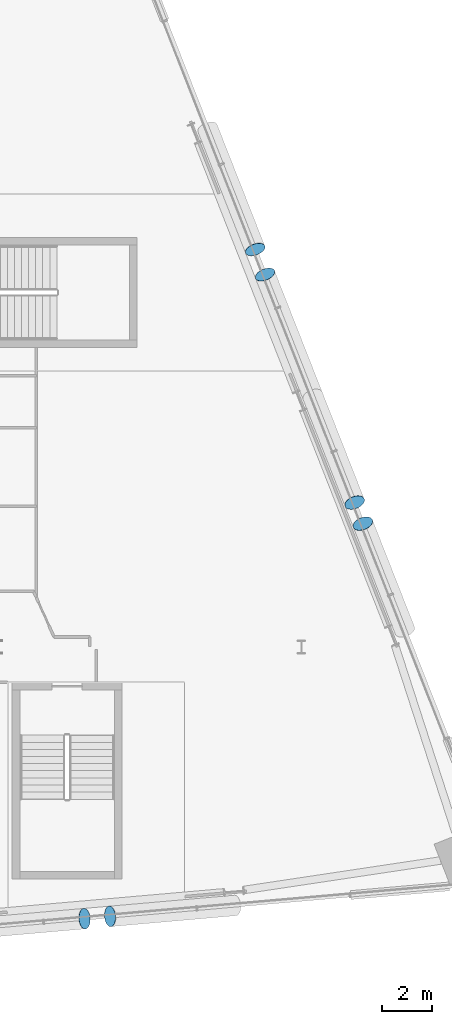
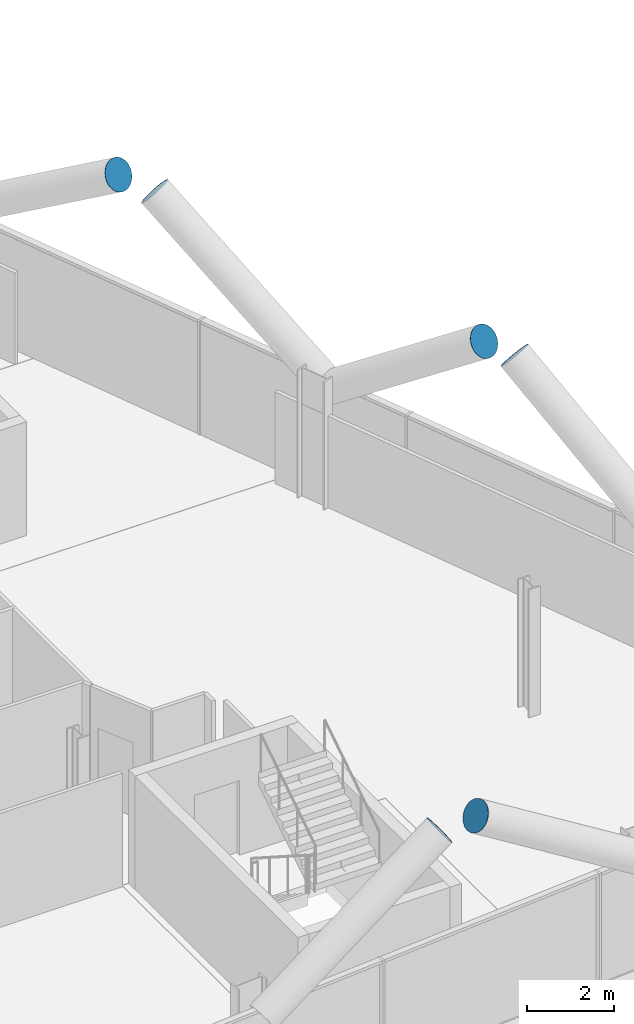
# One storey, part 21 of 25: 6 discrete accessories.
"""IFC4 building model written with IfcOpenShell, lengths in metres."""

from ifc_helpers import new_model, si_unit, direction, frame, origin, origin_2d, place, context, subcontext, project, spatial, circle, extrude, material, material_profile, profile_set, type_object, element, save


model = new_model("IFC4")

# Units and contexts
model_context = context("Model", 3, precision=1e-05, world=origin(), true_north=direction((0.0, 1.0)))
body_context = subcontext(model_context, "Body", "Model", "MODEL_VIEW")
ifc_project = project(units=[si_unit("LENGTHUNIT", "METRE"), si_unit("AREAUNIT", "SQUARE_METRE"), si_unit("VOLUMEUNIT", "CUBIC_METRE"), si_unit("PLANEANGLEUNIT", "RADIAN"), si_unit("MASSUNIT", "GRAM", prefix="KILO")], contexts=[model_context])

# Site, building, storey
site_placement = place(None, origin())
site = spatial("IfcSite", under=ifc_project, at=site_placement, CompositionType="ELEMENT")
building_placement = place(site_placement, origin())
building = spatial("IfcBuilding", under=site, at=building_placement, Name="Wharfspan Tower", CompositionType="ELEMENT")
storey_placement = place(building_placement, frame((0.0, 0.0, 129.100098)))
storey = spatial("IfcBuildingStorey", under=building, at=storey_placement, Name="L30", CompositionType="ELEMENT", Elevation=129.100098)

# Discrete accessories
ifc_material = material(Name="Steel S460NH", Category="steel")
ifc_material_profile = material_profile(ifc_material, circle(Radius=0.406494, at=origin_2d()))
ifc_profile_set = profile_set([ifc_material_profile], Name="Steel S460NH")
discrete_accessory_type = type_object("IfcDiscreteAccessoryType", Name="End plate CHS 813x40", PredefinedType="BRACKET", material=ifc_profile_set)
for number, where, z_axis, x_axis, name in (
    (1, (75.401855, 0.73291, 6.162109), (0.838548, 0.049326, 0.54259), (-0.058722, 0.99827, 1e-06), "End plate CHS 813x40"),
    (2, (76.427002, 0.82251, 6.162109), (-0.844416, -0.072379, 0.530776), (0.085402, -0.99635, 0.0), "End plate CHS 813x40"),
    (3, (82.563477, 26.251709, 6.158203), (-0.317451, 0.781418, 0.537225), (-0.92647, -0.376377, -2e-06), "End plate CHS 813x40"),
    (4, (82.168213, 27.257812, 6.158203), (0.289598, -0.796395, 0.53093), (0.939792, 0.341743, 1e-06), "End plate CHS 813x40"),
    (5, (86.442627, 16.381348, 6.172119), (-0.292683, 0.756098, 0.585366), (-0.932565, -0.360992, -1e-06), "End plate CHS 813x40"),
    (6, (86.109863, 17.228027, 6.172119), (0.292683, -0.756098, 0.585366), (0.932565, 0.360992, -1e-06), "End plate CHS 813x40"),
):
    element("IfcDiscreteAccessory", number, at=place(storey_placement, frame(where, z_axis=z_axis, x_axis=x_axis)), inside=storey, type_object=discrete_accessory_type, Name=name, PredefinedType="BRACKET", context=body_context, shape_type="SweptSolid", body=[
        extrude(circle(Radius=0.406494, at=origin_2d()), origin(), (0.0, 0.0, 1.0), 0.01001),
    ])

save(model, "model.ifc")
